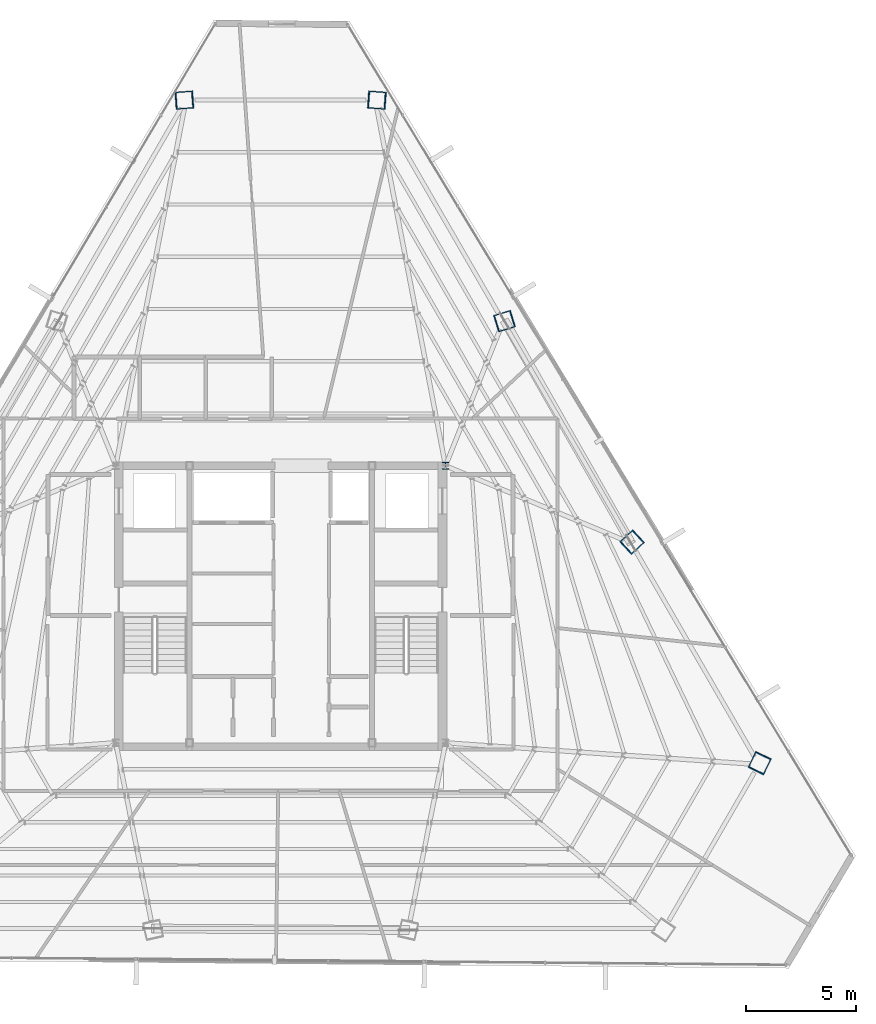
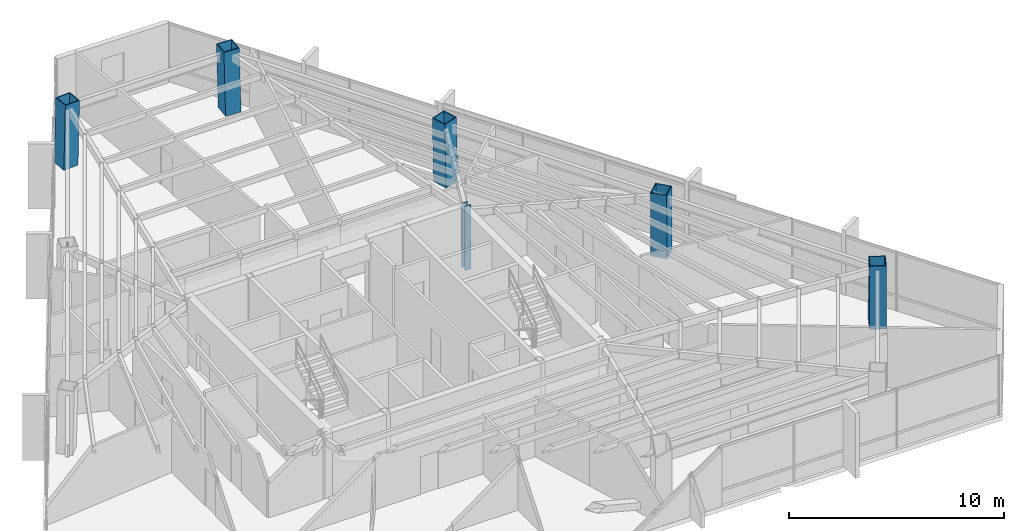
# One storey, part 2 of 49: 6 columns.
"""IFC4 building model written with IfcOpenShell, lengths in metres."""

from ifc_helpers import new_model, si_unit, direction, frame, origin, origin_2d, place, context, subcontext, project, spatial, hollow_rectangle, i_section, extrude, source, transform, mapped, material, material_profile, profile_set, type_object, type_shapes, element, save


model = new_model("IFC4")

# Units and contexts
model_context = context("Model", 3, precision=1e-05, world=origin(), true_north=direction((0.0, 1.0)))
body_context = subcontext(model_context, "Body", "Model", "MODEL_VIEW")
ifc_project = project(units=[si_unit("LENGTHUNIT", "METRE"), si_unit("AREAUNIT", "SQUARE_METRE"), si_unit("VOLUMEUNIT", "CUBIC_METRE"), si_unit("PLANEANGLEUNIT", "RADIAN"), si_unit("MASSUNIT", "GRAM", prefix="KILO")], contexts=[model_context])

# Site, building, storey
site_placement = place(None, origin())
site = spatial("IfcSite", under=ifc_project, at=site_placement, CompositionType="ELEMENT")
building_placement = place(site_placement, origin())
building = spatial("IfcBuilding", under=site, at=building_placement, Name="Caelisora Broadcast Tower", CompositionType="ELEMENT")
storey_placement = place(building_placement, frame((0.0, 0.0, 233.5)))
storey = spatial("IfcBuildingStorey", under=building, at=storey_placement, Name="L61", CompositionType="ELEMENT", Elevation=233.5)

# Columns
ifc_material_1 = material(Name="Steel Grade 350 L15 (AS/NZS 3678)", Category="steel")
ifc_material_profile_1 = material_profile(ifc_material_1, hollow_rectangle(XDim=0.800048828125, YDim=0.800048828125, WallThickness=0.044921875, at=origin_2d()), Name="Steel Grade 350 L15 (AS/NZS 3678)")
ifc_profile_set_1 = profile_set([ifc_material_profile_1], Name="Steel Grade 350 L15 (AS/NZS 3678)")
column_type_1 = type_object("IfcColumnType", Name="MC05", PredefinedType="COLUMN", material=ifc_profile_set_1)
shared_shape_1 = source(origin(), body_context, "Body", "SweptSolid", [
    extrude(hollow_rectangle(XDim=0.800048828125, YDim=0.800048828125, WallThickness=0.044921875, at=origin_2d()), origin(), (0.0, 0.0, 1.0), 3.65087890625),
])
for number, where, z_axis, x_axis, name in (
    (1, (42.39306640625, 46.634521484375, 0.0), (-0.023872756997, 0.001738632162, 0.999713493273), (-0.07263675076, -0.997358462359, 0.0), "L61 column MC05"),
    (2, (33.60693359375, 46.634521484375, 0.0), (0.023872756997, 0.001738632162, 0.999713493273), (-0.07263675076, 0.997358462359, 0.0), "L61 column MC05"),
    (3, (59.798583984375, 16.4873046875, 0.0), (-0.010431795422, -0.021532295679, 0.999713727968), (0.899947055326, -0.435999194506, 0.0), "L61 column MC05"),
):
    element("IfcColumn", number, at=place(storey_placement, frame(where, z_axis=z_axis, x_axis=x_axis)), inside=storey, type_object=column_type_1, Name=name, PredefinedType="COLUMN", context=body_context, shape_type="MappedRepresentation", body=[
        mapped(shared_shape_1, transform((0.0, 0.0, 0.0), scale=1.0)),
    ])
shared_shape_2 = source(origin(), body_context, "Body", "SweptSolid", [
    extrude(hollow_rectangle(XDim=0.800048828125, YDim=0.800048828125, WallThickness=0.044921875, at=origin_2d()), origin(), (0.0, 0.0, 1.0), 3.650634765625),
])
type_shapes(column_type_1, [shared_shape_1, shared_shape_2])
for number, where, z_axis, x_axis, name in (
    (4, (53.99658203125, 26.536376953125, 0.0), (-0.014913313399, -0.013776424037, 0.999793880369), (0.678553674548, -0.734550822447, 0.0), "L61 column MC05"),
    (5, (48.19482421875, 36.585205078125, 0.0), (-0.019394001249, -0.005951952107, 0.999794202314), (0.293390827749, -0.9559925848, 0.0), "L61 column MC05"),
):
    element("IfcColumn", number, at=place(storey_placement, frame(where, z_axis=z_axis, x_axis=x_axis)), inside=storey, type_object=column_type_1, Name=name, PredefinedType="COLUMN", context=body_context, shape_type="MappedRepresentation", body=[
        mapped(shared_shape_2, transform((0.0, 0.0, 0.0), scale=1.0)),
    ])
ifc_material_2 = material(Name="Steel Grade 350 (AS/NZS 3679.1)", Category="steel")
ifc_material_profile_2 = material_profile(ifc_material_2, i_section(OverallWidth=0.31103515625, OverallDepth=0.3271484375, WebThickness=0.015625, FlangeThickness=0.02490234375, at=origin_2d()), Name="Steel Grade 350 (AS/NZS 3679.1)")
ifc_profile_set_2 = profile_set([ifc_material_profile_2], Name="Steel Grade 350 (AS/NZS 3679.1)")
column_type_2 = type_object("IfcColumnType", Name="CC03", PredefinedType="COLUMN", material=ifc_profile_set_2)
shared_shape_3 = source(origin(), body_context, "Body", "SweptSolid", [
    extrude(i_section(OverallWidth=0.31103515625, OverallDepth=0.3271484375, WebThickness=0.015625, FlangeThickness=0.02490234375, at=origin_2d()), origin(), (0.0, 0.0, 1.0), 3.64990234375),
])
type_shapes(column_type_2, [shared_shape_3])
column_placement = place(storey_placement, frame((45.5, 30.0, 0.0), z_axis=(0.0, 0.0, 1.0), x_axis=(1.0, 0.0, 0.0)))
element("IfcColumn", 6, at=column_placement, inside=storey, type_object=column_type_2, Name="L61 column CC03", PredefinedType="COLUMN", context=body_context, shape_type="MappedRepresentation", body=[
    mapped(shared_shape_3, transform((0.0, 0.0, 0.0), scale=1.0)),
])

save(model, "model.ifc")
